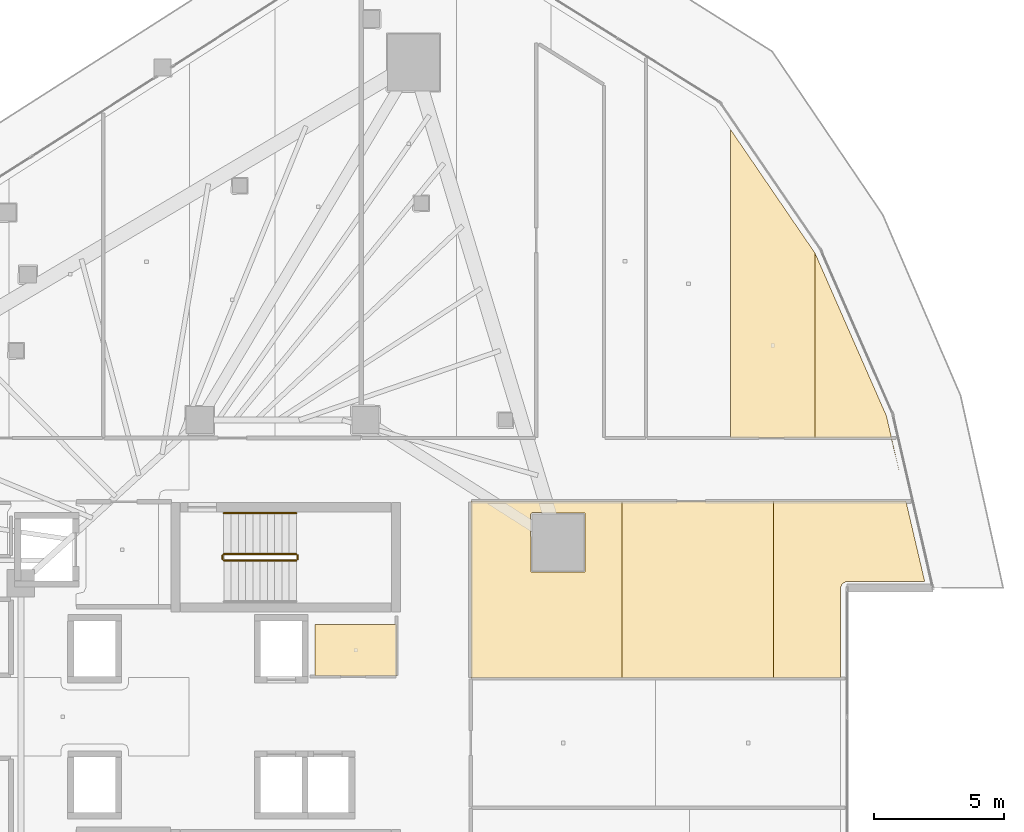
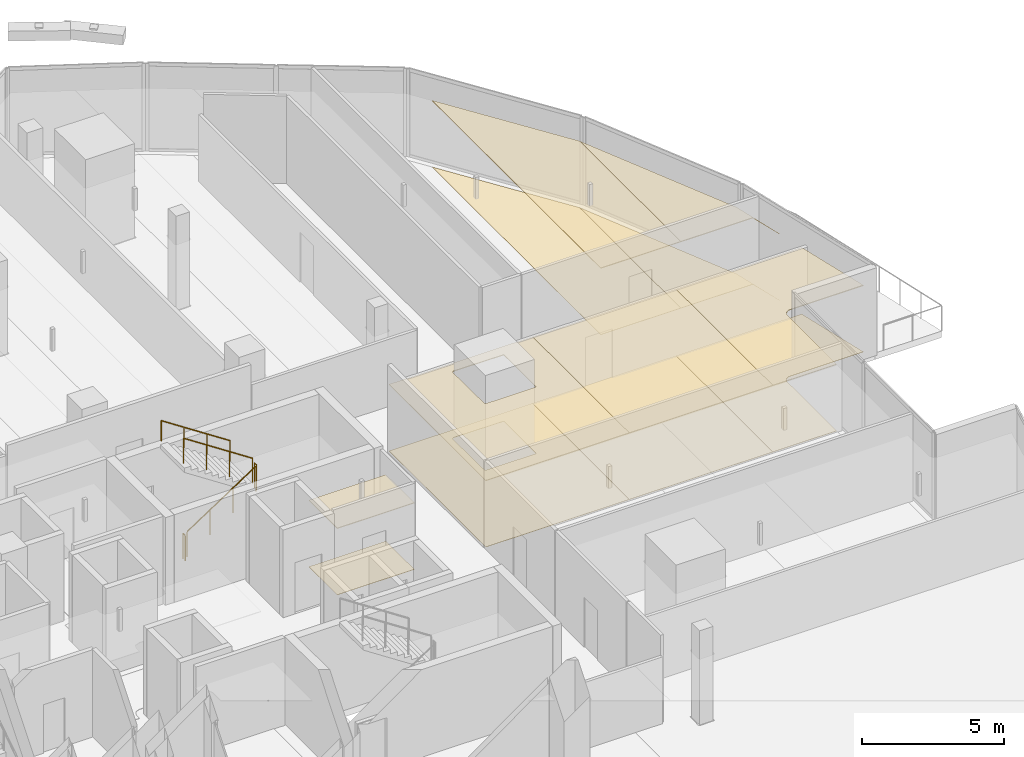
# One storey, part 41 of 42: 12 coverings, 5 railings.
"""IFC4 building model written with IfcOpenShell, lengths in metres."""

import ifcopenshell
import ifcopenshell.guid

model = None  # the IFC model being written
_history = None  # IfcOwnerHistory: only IFC2X3 demands one
_inside = {}  # id of a spatial element -> (the spatial element, [elements in it])
_under = {}  # id of a project, library or spatial element -> (it, [spatial elements below it])
_declared = {}  # id of a project -> (the project, [libraries it declares])
_typed = {}  # id of a type object -> (the type object, [elements of that type])
_made_of = {}  # id of a material, layer set ... -> (it, [elements and type objects made of it])


def new_model(schema):
    """Start an empty IFC model of exactly this schema.

    Asked for "IFC4X3", IfcOpenShell would pick the latest addendum, in which some entities
    have other attributes; the version numbers below select the first issue.
    IFC2X3 requires an IfcOwnerHistory on every rooted entity: one is made here for all.
    """
    global model, _history
    if schema == "IFC4X3":
        model = ifcopenshell.file(schema_version=(4, 3, 0, 0))
    else:
        model = ifcopenshell.file(schema=schema)
    _inside.clear()
    _under.clear()
    _declared.clear()
    _typed.clear()
    _made_of.clear()
    _history = None
    if model.schema == "IFC2X3":
        org = make("IfcOrganization", Name="unknown")
        user = make(
            "IfcPersonAndOrganization",
            ThePerson=make("IfcPerson", FamilyName="unknown"),
            TheOrganization=org,
        )
        app = make(
            "IfcApplication",
            ApplicationDeveloper=org,
            Version="unknown",
            ApplicationFullName="unknown",
            ApplicationIdentifier="unknown",
        )
        _history = make(
            "IfcOwnerHistory",
            OwningUser=user,
            OwningApplication=app,
            ChangeAction="ADDED",
            CreationDate=0,
        )
    return model


def make(cls, **values):
    """One entity of the class cls with the attributes given. An attribute that is None is left unset."""
    return model.create_entity(
        cls, **{name: value for name, value in values.items() if value is not None}
    )


def rooted(cls, **values):
    """An entity with a GlobalId (a new one), such as an element, a storey or a relation."""
    return make(cls, GlobalId=ifcopenshell.guid.new(), OwnerHistory=_history, **values)


def si_unit(unit_type, name, prefix=None):
    """IfcSIUnit, for example si_unit("LENGTHUNIT", "METRE", prefix="MILLI")."""
    return make("IfcSIUnit", UnitType=unit_type, Prefix=prefix, Name=name)


def assignment(units):
    """IfcUnitAssignment: the units of a project."""
    return None if units is None else make("IfcUnitAssignment", Units=units)


def point(xyz):
    """IfcCartesianPoint."""
    return None if xyz is None else make("IfcCartesianPoint", Coordinates=xyz)


def direction(xyz):
    """IfcDirection."""
    return None if xyz is None else make("IfcDirection", DirectionRatios=xyz)


def frame(location, z_axis=None, x_axis=None):
    """IfcAxis2Placement3D, a coordinate frame: its origin and axes. An axis left out is left unset."""
    return make(
        "IfcAxis2Placement3D",
        Location=point(location),
        Axis=direction(z_axis),
        RefDirection=direction(x_axis),
    )


def frame_2d(location, x_axis=None):
    """IfcAxis2Placement2D, a coordinate frame in the plane: its origin and x axis."""
    return make(
        "IfcAxis2Placement2D", Location=point(location), RefDirection=direction(x_axis)
    )


def origin():
    """The frame at (0, 0, 0) with its axes left unset."""
    return frame((0.0, 0.0, 0.0))


def origin_2d():
    """The frame at (0, 0) in the plane with its x axis left unset."""
    return frame_2d((0.0, 0.0))


def place(relative_to, where):
    """IfcLocalPlacement: puts the frame where relative to a parent placement (None: the world)."""
    return make(
        "IfcLocalPlacement", PlacementRelTo=relative_to, RelativePlacement=where
    )


def context(
    kind, dimensions, precision=None, world=None, true_north=None, identifier=None
):
    """IfcGeometricRepresentationContext, for example the 3D "Model" context."""
    return make(
        "IfcGeometricRepresentationContext",
        ContextIdentifier=identifier,
        ContextType=kind,
        CoordinateSpaceDimension=dimensions,
        Precision=precision,
        WorldCoordinateSystem=world,
        TrueNorth=true_north,
    )


def subcontext(parent, identifier, kind, view, scale=None):
    """IfcGeometricRepresentationSubContext, for example "Body" below "Model"."""
    return make(
        "IfcGeometricRepresentationSubContext",
        ContextIdentifier=identifier,
        ContextType=kind,
        ParentContext=parent,
        TargetScale=scale,
        TargetView=view,
    )


def project(units=None, contexts=None):
    """IfcProject with its units and contexts."""
    return rooted(
        "IfcProject",
        Name="project",
        RepresentationContexts=contexts,
        UnitsInContext=assignment(units),
    )


def spatial(cls, under=None, at=None, **own):
    """A site, building, storey or space (cls), placed at a placement, below another one or the project."""
    s = rooted(cls, ObjectPlacement=at, **own)
    if under is not None:
        _under.setdefault(under.id(), (under, []))[1].append(s)
    return s


def polyline(points):
    """IfcPolyline through the points."""
    return make("IfcPolyline", Points=[point(p) for p in points])


def profile(cls, at=None, kind="AREA", **sizes):
    """A parametric profile (cls). Its sizes go by their IFC names, for example OverallWidth=200.0."""
    return make(cls, ProfileType=kind, Position=at, **sizes)


def circle(**sizes):
    """IfcCircleProfileDef."""
    return profile("IfcCircleProfileDef", **sizes)


def outline(outer, holes=None, kind="AREA"):
    """IfcArbitraryClosedProfileDef: a profile drawn as a closed curve; with holes, ...WithVoids."""
    if holes is None:
        return make("IfcArbitraryClosedProfileDef", ProfileType=kind, OuterCurve=outer)
    return make(
        "IfcArbitraryProfileDefWithVoids",
        ProfileType=kind,
        OuterCurve=outer,
        InnerCurves=holes,
    )


def extrude(swept, where, along, depth):
    """IfcExtrudedAreaSolid: the profile swept, set in the frame where, extruded along a direction by depth."""
    return make(
        "IfcExtrudedAreaSolid",
        SweptArea=swept,
        Position=where,
        ExtrudedDirection=direction(along),
        Depth=depth,
    )


def shape(context_of_items, identifier, shape_type, items):
    """IfcShapeRepresentation: the items that make up one representation, for example the "Body"."""
    return make(
        "IfcShapeRepresentation",
        ContextOfItems=context_of_items,
        RepresentationIdentifier=identifier,
        RepresentationType=shape_type,
        Items=items,
    )


def material(Name=None, Category=None):
    """IfcMaterial."""
    return make("IfcMaterial", Name=Name, Category=Category)


def layer(
    of_material, thickness, ventilated=None, Name=None, Category=None, Priority=None
):
    """IfcMaterialLayer: one layer of a wall or slab, of a material (None: an air gap)."""
    return make(
        "IfcMaterialLayer",
        Material=of_material,
        LayerThickness=thickness,
        IsVentilated=ventilated,
        Name=Name,
        Category=Category,
        Priority=Priority,
    )


def layer_set(layers, Name=None):
    """IfcMaterialLayerSet."""
    return make("IfcMaterialLayerSet", MaterialLayers=layers, LayerSetName=Name)


def made_of(thing, what):
    """Note that an element or type object is made of a material, layer set ...; save() writes the relation."""
    if what is not None:
        _made_of.setdefault(what.id(), (what, []))[1].append(thing)
    return thing


def type_object(cls, material=None, **own):
    """A type object (cls), such as IfcWallType, which elements share."""
    return made_of(rooted(cls, **own), material)


def element(
    cls,
    number,
    at=None,
    inside=None,
    cuts=None,
    type_object=None,
    material=None,
    context=None,
    identifier="Body",
    shape_type=None,
    held_by="IfcProductDefinitionShape",
    body=None,
    shapes=None,
    **own,
):
    """One element of the class cls, such as IfcWall. Its Tag is "e" and its number.

    at: its placement. inside: the storey or other place that contains it. cuts: it is an
    opening in that element (IfcRelVoidsElement). A single representation is given by context,
    identifier, shape_type and body (its items); several are given by shapes. held_by: the class
    of the entity that holds the representations. save() writes the other relations.
    """
    e = rooted(cls, Tag="e%d" % number, ObjectPlacement=at, **own)
    if body is not None:
        shapes = [shape(context, identifier, shape_type, body)]
    if shapes is not None:
        e.Representation = make(held_by, Representations=shapes)
    if inside is not None:
        _inside.setdefault(inside.id(), (inside, []))[1].append(e)
    if cuts is not None:
        rooted(
            "IfcRelVoidsElement", RelatingBuildingElement=cuts, RelatedOpeningElement=e
        )
    if type_object is not None:
        _typed.setdefault(type_object.id(), (type_object, []))[1].append(e)
    return made_of(e, material)


def aggregate(whole, parts):
    """IfcRelAggregates: a whole, such as a stair, and the parts it consists of."""
    return rooted("IfcRelAggregates", RelatingObject=whole, RelatedObjects=parts)


def save(model, path):
    """Write the relations noted so far, then the file.

    IfcRelAggregates (storeys below a building ...), IfcRelContainedInSpatialStructure (elements
    in a storey), IfcRelDefinesByType, IfcRelAssociatesMaterial and IfcRelDeclares: one each for
    every whole, place, type object, material and project.
    """
    for whole, parts in _under.values():
        aggregate(whole, parts)
    for where, things in _inside.values():
        rooted(
            "IfcRelContainedInSpatialStructure",
            RelatedElements=things,
            RelatingStructure=where,
        )
    for kind, things in _typed.values():
        rooted("IfcRelDefinesByType", RelatedObjects=things, RelatingType=kind)
    for what, things in _made_of.values():
        rooted("IfcRelAssociatesMaterial", RelatedObjects=things, RelatingMaterial=what)
    for by, libraries in _declared.values():
        rooted("IfcRelDeclares", RelatingContext=by, RelatedDefinitions=libraries)
    model.write(path)


model = new_model("IFC4")

# Units and contexts
model_context = context("Model", 3, precision=1e-05, world=origin(), true_north=direction((0.0, 1.0)))
body_context = subcontext(model_context, "Body", "Model", "MODEL_VIEW")
ifc_project = project(units=[si_unit("LENGTHUNIT", "METRE"), si_unit("AREAUNIT", "SQUARE_METRE"), si_unit("VOLUMEUNIT", "CUBIC_METRE"), si_unit("PLANEANGLEUNIT", "RADIAN"), si_unit("MASSUNIT", "GRAM", prefix="KILO")], contexts=[model_context])

# Site, building, storey
site_placement = place(None, origin())
site = spatial("IfcSite", under=ifc_project, at=site_placement, CompositionType="ELEMENT")
building_placement = place(site_placement, origin())
building = spatial("IfcBuilding", under=site, at=building_placement, Name="Qorvath Tower", CompositionType="ELEMENT")
storey_placement = place(building_placement, frame((0.0, 0.0, 121.949951171875)))
storey = spatial("IfcBuildingStorey", under=building, at=storey_placement, Name="L27", CompositionType="ELEMENT", Elevation=121.949951171875)

# Coverings
ifc_material_1 = material(Name="Acoustic mineral fibre ceiling tile", Category="gypsum")
ifc_layer_1 = layer(ifc_material_1, 0.030029296875)
ifc_layer_set_1 = layer_set([ifc_layer_1], Name="COV-CEIL")
covering_type_1 = type_object("IfcCoveringType", Name="COV-CEIL", PredefinedType="CEILING", material=ifc_layer_set_1)
covering_1_placement = place(storey_placement, frame((0.0, 0.0, 2.85009765625)))
element("IfcCovering", 1, at=covering_1_placement, inside=storey, type_object=covering_type_1, Name="L27 Suspended Acoustic Ceiling 003", PredefinedType="CEILING", context=body_context, shape_type="SweptSolid", body=[
    extrude(outline(polyline([(-16.0048828125, 3.56005859375), (-19.139892578125, 3.56005859375), (-19.139892578125, 1.56494140625), (-16.0048828125, 1.56494140625), (-16.0048828125, 3.56005859375)])), origin(), (0.0, 0.0, 1.0), 0.030029296875),
])
covering_2_placement = place(storey_placement, frame((0.0, 0.0, 2.85009765625)))
element("IfcCovering", 2, at=covering_2_placement, inside=storey, type_object=covering_type_1, Name="L27 Suspended Acoustic Ceiling 022", PredefinedType="CEILING", context=body_context, shape_type="SweptSolid", body=[
    extrude(outline(polyline([(0.146240234375, 10.762939453125), (0.146240234375, 17.89111328125), (-3.109130859375, 22.655517578125), (-3.109130859375, 10.762939453125), (0.146240234375, 10.762939453125)])), origin(), (0.0, 0.0, 1.0), 0.030029296875),
])
covering_3_placement = place(storey_placement, frame((0.0, 0.0, 2.85009765625)))
element("IfcCovering", 3, at=covering_3_placement, inside=storey, type_object=covering_type_1, Name="L27 Suspended Acoustic Ceiling 023", PredefinedType="CEILING", context=body_context, shape_type="SweptSolid", body=[
    extrude(outline(polyline([(3.40185546875, 9.44580078125), (2.901123046875, 11.611572265625), (0.146240234375, 17.89111328125), (0.146240234375, 10.762939453125), (3.0810546875, 10.762939453125), (3.40185546875, 9.44580078125)])), origin(), (0.0, 0.0, 1.0), 0.030029296875),
])
covering_4_placement = place(storey_placement, frame((0.0, 0.0, 2.85009765625)))
element("IfcCovering", 4, at=covering_4_placement, inside=storey, type_object=covering_type_1, Name="L27 Suspended Acoustic Ceiling 031", PredefinedType="CEILING", context=body_context, shape_type="SweptSolid", body=[
    extrude(outline(polyline([(-7.298583984375, 1.49072265625), (-7.298583984375, 8.312744140625), (-13.136962890625, 8.306884765625), (-13.136962890625, 1.49072265625), (-7.298583984375, 1.49072265625)]), holes=[polyline([(-10.830322265625, 7.8212890625), (-10.770263671875, 7.88134765625), (-8.727783203125, 7.86376953125), (-8.727783203125, 5.578857421875), (-10.812744140625, 5.578857421875), (-10.830322265625, 7.8212890625)])]), origin(), (0.0, 0.0, 1.0), 0.030029296875),
])
covering_5_placement = place(storey_placement, frame((0.0, 0.0, 2.85009765625)))
element("IfcCovering", 5, at=covering_5_placement, inside=storey, type_object=covering_type_1, Name="L27 Suspended Acoustic Ceiling 032", PredefinedType="CEILING", context=body_context, shape_type="SweptSolid", body=[
    extrude(outline(polyline([(-1.460205078125, 1.49072265625), (-1.460205078125, 8.318359375), (-7.298583984375, 8.312744140625), (-7.298583984375, 1.49072265625), (-1.460205078125, 1.49072265625)])), origin(), (0.0, 0.0, 1.0), 0.030029296875),
])
covering_6_placement = place(storey_placement, frame((0.0, 0.0, 2.85009765625)))
element("IfcCovering", 6, at=covering_6_placement, inside=storey, type_object=covering_type_1, Name="L27 Suspended Acoustic Ceiling 033", PredefinedType="CEILING", context=body_context, shape_type="SweptSolid", body=[
    extrude(outline(polyline([(1.191162109375, 5.130859375), (1.338134765625, 5.21826171875), (4.378173828125, 5.222900390625), (3.6533203125, 8.3232421875), (-1.460205078125, 8.318359375), (-1.460205078125, 1.49072265625), (1.1318359375, 1.49072265625), (1.133056640625, 4.992431640625), (1.191162109375, 5.130859375)])), origin(), (0.0, 0.0, 1.0), 0.030029296875),
])
ifc_material_2 = material(Name="Low-VOC modular carpet tile", Category="textile")
ifc_layer_2 = layer(ifc_material_2, 0.014892578125)
ifc_layer_set_2 = layer_set([ifc_layer_2], Name="COV-FLOOR-CPT")
covering_type_2 = type_object("IfcCoveringType", Name="COV-FLOOR-CPT", PredefinedType="FLOORING", material=ifc_layer_set_2)
covering_7_placement = place(storey_placement, origin())
element("IfcCovering", 7, at=covering_7_placement, inside=storey, type_object=covering_type_2, Name="L27 Floor Finish 003", PredefinedType="FLOORING", context=body_context, shape_type="SweptSolid", body=[
    extrude(outline(polyline([(-16.0048828125, 3.56005859375), (-19.139892578125, 3.56005859375), (-19.139892578125, 1.56494140625), (-16.0048828125, 1.56494140625), (-16.0048828125, 3.56005859375)])), origin(), (0.0, 0.0, 1.0), 0.01513671875),
])
covering_8_placement = place(storey_placement, origin())
element("IfcCovering", 8, at=covering_8_placement, inside=storey, type_object=covering_type_2, Name="L27 Floor Finish 022", PredefinedType="FLOORING", context=body_context, shape_type="SweptSolid", body=[
    extrude(outline(polyline([(0.146240234375, 10.762939453125), (0.146240234375, 17.89111328125), (-3.109130859375, 22.655517578125), (-3.109130859375, 10.762939453125), (0.146240234375, 10.762939453125)])), origin(), (0.0, 0.0, 1.0), 0.01513671875),
])
covering_9_placement = place(storey_placement, origin())
element("IfcCovering", 9, at=covering_9_placement, inside=storey, type_object=covering_type_2, Name="L27 Floor Finish 023", PredefinedType="FLOORING", context=body_context, shape_type="SweptSolid", body=[
    extrude(outline(polyline([(3.40185546875, 9.44580078125), (2.901123046875, 11.611572265625), (0.146240234375, 17.89111328125), (0.146240234375, 10.762939453125), (3.0810546875, 10.762939453125), (3.40185546875, 9.44580078125)])), origin(), (0.0, 0.0, 1.0), 0.01513671875),
])
covering_10_placement = place(storey_placement, origin())
element("IfcCovering", 10, at=covering_10_placement, inside=storey, type_object=covering_type_2, Name="L27 Floor Finish 031", PredefinedType="FLOORING", context=body_context, shape_type="SweptSolid", body=[
    extrude(outline(polyline([(-7.298583984375, 1.49072265625), (-7.298583984375, 8.312744140625), (-13.136962890625, 8.306884765625), (-13.136962890625, 1.49072265625), (-7.298583984375, 1.49072265625)]), holes=[polyline([(-10.830322265625, 7.8212890625), (-10.770263671875, 7.88134765625), (-8.727783203125, 7.86376953125), (-8.727783203125, 5.578857421875), (-10.812744140625, 5.578857421875), (-10.830322265625, 7.8212890625)])]), origin(), (0.0, 0.0, 1.0), 0.01513671875),
])
covering_11_placement = place(storey_placement, origin())
element("IfcCovering", 11, at=covering_11_placement, inside=storey, type_object=covering_type_2, Name="L27 Floor Finish 032", PredefinedType="FLOORING", context=body_context, shape_type="SweptSolid", body=[
    extrude(outline(polyline([(-1.460205078125, 1.49072265625), (-1.460205078125, 8.318359375), (-7.298583984375, 8.312744140625), (-7.298583984375, 1.49072265625), (-1.460205078125, 1.49072265625)])), origin(), (0.0, 0.0, 1.0), 0.01513671875),
])
covering_12_placement = place(storey_placement, origin())
element("IfcCovering", 12, at=covering_12_placement, inside=storey, type_object=covering_type_2, Name="L27 Floor Finish 033", PredefinedType="FLOORING", context=body_context, shape_type="SweptSolid", body=[
    extrude(outline(polyline([(1.191162109375, 5.130859375), (1.338134765625, 5.21826171875), (4.378173828125, 5.222900390625), (3.6533203125, 8.3232421875), (-1.460205078125, 8.318359375), (-1.460205078125, 1.49072265625), (1.1318359375, 1.49072265625), (1.133056640625, 4.992431640625), (1.191162109375, 5.130859375)])), origin(), (0.0, 0.0, 1.0), 0.01513671875),
])

# Railings
ifc_material_3 = material(Name="Painted galvanised steel", Category="steel")
railing_type_1 = type_object("IfcRailingType", Name="RL-STR-GRD", PredefinedType="GUARDRAIL", material=ifc_material_3)
railing_1_placement = place(storey_placement, frame((-22.669921875, 6.030029296875, 0.18408203125)))
element("IfcRailing", 13, at=railing_1_placement, inside=storey, type_object=railing_type_1, Name="L27 TS1 stair guard 1", PredefinedType="GUARDRAIL", context=body_context, shape_type="SweptSolid", body=[
    extrude(circle(Radius=0.02392578125, at=origin_2d()), frame((0.0, 0.0, 1.076171875), z_axis=(0.835542071712, 0.0, 0.549426470421), x_axis=(0.0, 1.0, 0.0)), (0.0, 0.0, 1.0), 3.350830078125),
    extrude(circle(Radius=0.02099609375, at=origin_2d()), origin(), (0.0, 0.0, 1.0), 1.052001953125),
    extrude(circle(Radius=0.02099609375, at=origin_2d()), frame((0.933349609375, 0.0, 0.61376953125)), (0.0, 0.0, 1.0), 1.052001953125),
    extrude(circle(Radius=0.02099609375, at=origin_2d()), frame((1.866455078125, 0.0, 1.227294921875)), (0.0, 0.0, 1.0), 1.052001953125),
    extrude(circle(Radius=0.02099609375, at=origin_2d()), frame((2.7998046875, 0.0, 1.841064453125)), (0.0, 0.0, 1.0), 1.052001953125),
])
railing_2_placement = place(storey_placement, frame((-19.820068359375, 6.080078125, 2.025146484375)))
element("IfcRailing", 14, at=railing_2_placement, inside=storey, type_object=railing_type_1, Name="L27 TS1 stair guard 2", PredefinedType="GUARDRAIL", context=body_context, shape_type="SweptSolid", body=[
    extrude(circle(Radius=0.02392578125, at=origin_2d()), frame((0.0, 0.0, 1.076171875), z_axis=(0.0, 1.0, 0.0), x_axis=(-1.0, 0.0, 0.0)), (0.0, 0.0, 1.0), 0.14990234375),
    extrude(circle(Radius=0.02099609375, at=origin_2d()), origin(), (0.0, 0.0, 1.0), 1.052001953125),
    extrude(circle(Radius=0.02099609375, at=origin_2d()), frame((0.0, 0.14990234375, 0.0)), (0.0, 0.0, 1.0), 1.052001953125),
])
railing_3_placement = place(storey_placement, frame((-19.8701171875, 6.280029296875, 2.209228515625)))
element("IfcRailing", 15, at=railing_3_placement, inside=storey, type_object=railing_type_1, Name="L27 TS1 stair guard 3", PredefinedType="GUARDRAIL", context=body_context, shape_type="SweptSolid", body=[
    extrude(circle(Radius=0.02392578125, at=origin_2d()), frame((0.0, 0.0, 1.076171875), z_axis=(-0.835575518608, 0.0, 0.549375602573), x_axis=(0.0, -1.0, 0.0)), (0.0, 0.0, 1.0), 3.350830078125),
    extrude(circle(Radius=0.02099609375, at=origin_2d()), origin(), (0.0, 0.0, 1.0), 1.052001953125),
    extrude(circle(Radius=0.02099609375, at=origin_2d()), frame((-0.933349609375, 0.0, 0.613525390625)), (0.0, 0.0, 1.0), 1.052001953125),
    extrude(circle(Radius=0.02099609375, at=origin_2d()), frame((-1.866455078125, 0.0, 1.227294921875)), (0.0, 0.0, 1.0), 1.052001953125),
    extrude(circle(Radius=0.02099609375, at=origin_2d()), frame((-2.7998046875, 0.0, 1.8408203125)), (0.0, 0.0, 1.0), 1.052001953125),
])
railing_4_placement = place(storey_placement, frame((-22.719970703125, 6.080078125, 0.0)))
element("IfcRailing", 16, at=railing_4_placement, inside=storey, type_object=railing_type_1, Name="L27 TS1 stair guard 4", PredefinedType="GUARDRAIL", context=body_context, shape_type="SweptSolid", body=[
    extrude(circle(Radius=0.02392578125, at=origin_2d()), frame((0.0, 0.0, 1.076171875), z_axis=(0.0, 1.0, 0.0), x_axis=(-1.0, 0.0, 0.0)), (0.0, 0.0, 1.0), 0.14990234375),
    extrude(circle(Radius=0.02099609375, at=origin_2d()), origin(), (0.0, 0.0, 1.0), 1.052001953125),
    extrude(circle(Radius=0.02099609375, at=origin_2d()), frame((0.0, 0.14990234375, 0.0)), (0.0, 0.0, 1.0), 1.052001953125),
])
ifc_material_4 = material(Name="Brushed stainless steel AISI 304", Category="steel")
railing_type_2 = type_object("IfcRailingType", Name="RL-STR-HND", PredefinedType="HANDRAIL", material=ifc_material_4)
railing_5_placement = place(storey_placement, frame((-19.8701171875, 7.860107421875, 2.209228515625)))
element("IfcRailing", 17, at=railing_5_placement, inside=storey, type_object=railing_type_2, Name="L27 TS1 stair handrail 2", PredefinedType="HANDRAIL", context=body_context, shape_type="SweptSolid", body=[
    extrude(circle(Radius=0.02392578125, at=origin_2d()), frame((0.0, 0.0, 0.8759765625), z_axis=(-0.835575518608, 0.0, 0.549375602573), x_axis=(0.0, -1.0, 0.0)), (0.0, 0.0, 1.0), 3.350830078125),
    extrude(circle(Radius=0.02099609375, at=origin_2d()), origin(), (0.0, 0.0, 1.0), 0.851806640625),
    extrude(circle(Radius=0.02099609375, at=origin_2d()), frame((-0.933349609375, 0.0, 0.613525390625)), (0.0, 0.0, 1.0), 0.851806640625),
    extrude(circle(Radius=0.02099609375, at=origin_2d()), frame((-1.866455078125, 0.0, 1.227294921875)), (0.0, 0.0, 1.0), 0.851806640625),
    extrude(circle(Radius=0.02099609375, at=origin_2d()), frame((-2.7998046875, 0.0, 1.8408203125)), (0.0, 0.0, 1.0), 0.851806640625),
])

save(model, "model.ifc")
